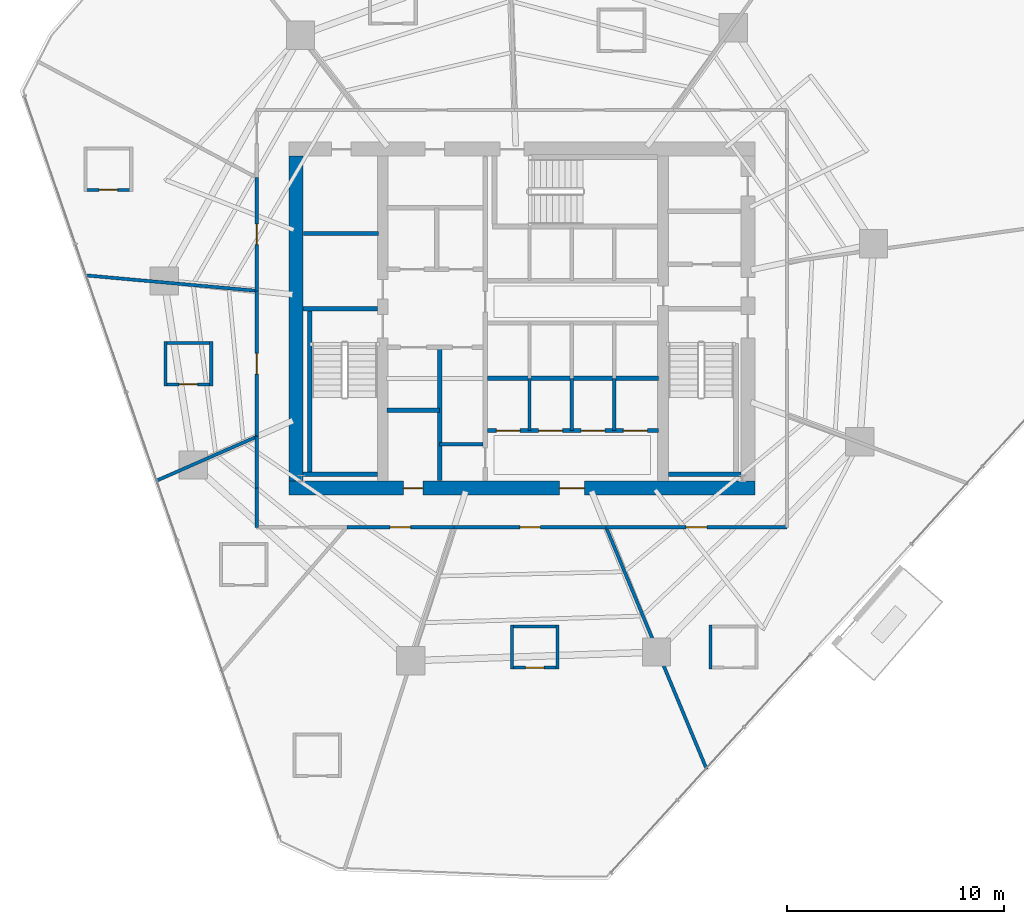
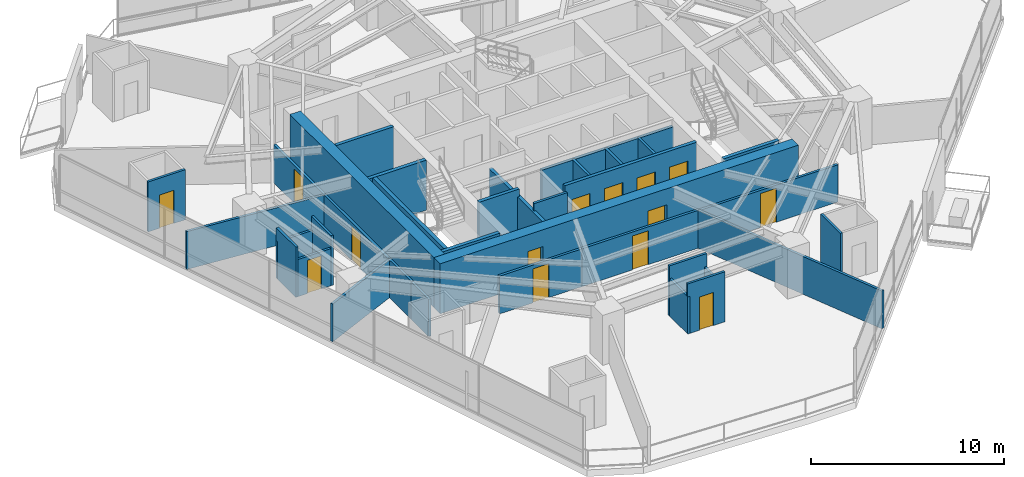
# One storey, part 26 of 33: 35 walls, 14 doors, 14 openings.
"""IFC4 building model written with IfcOpenShell, lengths in metres."""

from ifc_helpers import new_model, si_unit, direction, frame, frame_2d, origin, place, context, subcontext, project, spatial, rectangle, extrude, material, layer, layer_set, type_object, element, fill, save


model = new_model("IFC4")

# Units and contexts
model_context = context("Model", 3, precision=1e-05, world=origin(), true_north=direction((0.0, 1.0)))
body_context = subcontext(model_context, "Body", "Model", "MODEL_VIEW")
ifc_project = project(units=[si_unit("LENGTHUNIT", "METRE"), si_unit("AREAUNIT", "SQUARE_METRE"), si_unit("VOLUMEUNIT", "CUBIC_METRE"), si_unit("PLANEANGLEUNIT", "RADIAN"), si_unit("MASSUNIT", "GRAM", prefix="KILO")], contexts=[model_context])

# Site, building, storey
site_placement = place(None, origin())
site = spatial("IfcSite", under=ifc_project, at=site_placement, CompositionType="ELEMENT")
building_placement = place(site_placement, origin())
building = spatial("IfcBuilding", under=site, at=building_placement, Name="Qarnah Convention Tower", CompositionType="ELEMENT")
storey_placement = place(building_placement, frame((0.0, 0.0, 27.0)))
storey = spatial("IfcBuildingStorey", under=building, at=storey_placement, Name="L05", CompositionType="ELEMENT", Elevation=27.0)

# Wall, openings, doors
ifc_material_1 = material(Name="Concrete C60/75", Category="concrete")
ifc_layer_1 = layer(ifc_material_1, 0.64990234375)
ifc_layer_set_1 = layer_set([ifc_layer_1], Name="Concrete C60/75")
wall_type_1 = type_object("IfcWallType", Name="WL-CORE-650", PredefinedType="SHEAR", material=ifc_layer_set_1)
wall_1_placement = place(storey_placement, frame((26.47509765625, 18.60009765625, 0.0), z_axis=(0.0, 0.0, 1.0), x_axis=(1.0, 0.0, 0.0)))
wall_1 = element("IfcWall", 1, at=wall_1_placement, inside=storey, type_object=wall_type_1, Name="L05 core south shear wall", PredefinedType="SHEAR", context=body_context, shape_type="SweptSolid", body=[
    extrude(rectangle(XDim=21.449951171875, YDim=0.64990234375, at=frame_2d((10.72509765625, 0.0))), origin(), (0.0, 0.0, 1.0), 3.169921875),
])
opening_1_placement = place(wall_1_placement, frame((12.449951171875, 0.0, 0.0)))
opening_1 = element("IfcOpeningElement", 2, at=opening_1_placement, cuts=wall_1, Name="Opening D-0507", PredefinedType="OPENING", context=body_context, shape_type="SweptSolid", body=[
    extrude(rectangle(XDim=1.14990234375, YDim=2.14990234375, at=frame_2d((0.574951171875, 1.074951171875))), frame((0.0, 0.3349609375, 0.0), z_axis=(0.0, -1.0, 0.0), x_axis=(1.0, 0.0, 0.0)), (0.0, 0.0, 1.0), 0.669921875),
])
opening_2_placement = place(wall_1_placement, frame((5.27490234375, 0.0, 0.0)))
opening_2 = element("IfcOpeningElement", 3, at=opening_2_placement, cuts=wall_1, Name="Opening D-0513", PredefinedType="OPENING", context=body_context, shape_type="SweptSolid", body=[
    extrude(rectangle(XDim=0.89990234375, YDim=2.10009765625, at=frame_2d((0.449951171875, 1.050048828125))), frame((0.0, 0.3349609375, 0.0), z_axis=(0.0, -1.0, 0.0), x_axis=(1.0, 0.0, 0.0)), (0.0, 0.0, 1.0), 0.669921875),
])
ifc_material_2 = material(Name="Structural steel S355JR", Category="steel")
door_type_1 = type_object("IfcDoorType", Name="DT-LOBBY-1150", OperationType="NOTDEFINED", PredefinedType="DOOR", material=ifc_material_2)
door_1_placement = place(opening_1_placement, origin())
door_1 = element("IfcDoor", 4, at=door_1_placement, inside=storey, type_object=door_type_1, Name="Door D-0507", OperationType="SINGLE_SWING_LEFT", OverallHeight=2.14990234375, OverallWidth=1.14990234375, PredefinedType="DOOR", context=body_context, shape_type="SweptSolid", body=[
    extrude(rectangle(XDim=1.14990234375, YDim=2.14990234375, at=frame_2d((0.574951171875, 1.074951171875))), frame((0.0, 0.02490234375, 0.0), z_axis=(0.0, -1.0, 0.0), x_axis=(1.0, 0.0, 0.0)), (0.0, 0.0, 1.0), 0.050048828125),
])
fill(opening_1, door_1)
door_type_2 = type_object("IfcDoorType", Name="DT-RISER-900", OperationType="NOTDEFINED", PredefinedType="DOOR", material=ifc_material_2)
door_2_placement = place(opening_2_placement, origin())
door_2 = element("IfcDoor", 5, at=door_2_placement, inside=storey, type_object=door_type_2, Name="Door D-0513", OperationType="SINGLE_SWING_LEFT", OverallHeight=2.10009765625, OverallWidth=0.89990234375, PredefinedType="DOOR", context=body_context, shape_type="SweptSolid", body=[
    extrude(rectangle(XDim=0.89990234375, YDim=2.10009765625, at=frame_2d((0.449951171875, 1.050048828125))), frame((0.0, 0.02490234375, 0.0), z_axis=(0.0, -1.0, 0.0), x_axis=(1.0, 0.0, 0.0)), (0.0, 0.0, 1.0), 0.050048828125),
])
fill(opening_2, door_2)

# Walls
wall_2_placement = place(storey_placement, frame((26.800048828125, 18.925048828125, 0.0), z_axis=(0.0, 0.0, 1.0), x_axis=(0.0, 1.0, 0.0)))
element("IfcWall", 6, at=wall_2_placement, inside=storey, type_object=wall_type_1, Name="L05 core west shear wall", PredefinedType="SHEAR", context=body_context, shape_type="SweptSolid", body=[
    extrude(rectangle(XDim=14.949951171875, YDim=0.64990234375, at=frame_2d((7.47509765625, 0.0))), origin(), (0.0, 0.0, 1.0), 3.169921875),
])
ifc_material_3 = material(Name="Concrete C45/55", Category="concrete")
ifc_layer_2 = layer(ifc_material_3, 0.199951171875)
ifc_layer_set_2 = layer_set([ifc_layer_2], Name="Concrete C45/55")
wall_type_2 = type_object("IfcWallType", Name="WL-CORE-PART-200", PredefinedType="SOLIDWALL", material=ifc_layer_set_2)
wall_3_placement = place(storey_placement, frame((27.14990234375, 30.320068359375, 0.0), z_axis=(0.0, 0.0, 1.0), x_axis=(1.0, 0.0, 0.0)))
element("IfcWall", 7, at=wall_3_placement, inside=storey, type_object=wall_type_2, Name="L05 interior wall IW-L05-ELRN", PredefinedType="SOLIDWALL", context=body_context, shape_type="SweptSolid", body=[
    extrude(rectangle(XDim=3.4501953125, YDim=0.199951171875, at=frame_2d((1.72509765625, 0.0))), origin(), (0.0, 0.0, 1.0), 3.169921875),
])
wall_4_placement = place(storey_placement, frame((33.419921875, 18.949951171875, 0.0), z_axis=(0.0, 0.0, 1.0), x_axis=(0.0, 1.0, 0.0)))
element("IfcWall", 8, at=wall_4_placement, inside=storey, type_object=wall_type_2, Name="L05 interior wall IW-L05-SVLE", PredefinedType="SOLIDWALL", context=body_context, shape_type="SweptSolid", body=[
    extrude(rectangle(XDim=6.130126953125, YDim=0.199951171875, at=frame_2d((3.06494140625, 0.0))), origin(), (0.0, 0.0, 1.0), 2.69091796875),
])
wall_5_placement = place(storey_placement, frame((31.0, 22.179931640625, 0.0), z_axis=(0.0, 0.0, 1.0), x_axis=(1.0, 0.0, 0.0)))
element("IfcWall", 9, at=wall_5_placement, inside=storey, type_object=wall_type_2, Name="L05 interior wall IW-L05-SVLS", PredefinedType="SOLIDWALL", context=body_context, shape_type="SweptSolid", body=[
    extrude(rectangle(XDim=2.419921875, YDim=0.199951171875, at=frame_2d((1.2099609375, 0.0))), origin(), (0.0, 0.0, 1.0), 3.169921875),
])
wall_6_placement = place(storey_placement, frame((35.6201171875, 23.64990234375, 0.0), z_axis=(0.0, 0.0, 1.0), x_axis=(1.0, 0.0, 0.0)))
element("IfcWall", 10, at=wall_6_placement, inside=storey, type_object=wall_type_2, Name="L05 interior wall IW-L05-PMPL", PredefinedType="SOLIDWALL", context=body_context, shape_type="SweptSolid", body=[
    extrude(rectangle(XDim=7.8798828125, YDim=0.199951171875, at=frame_2d((3.93994140625, 0.0))), origin(), (0.0, 0.0, 1.0), 2.69091796875),
])

# Wall, openings, doors
wall_7_placement = place(storey_placement, frame((35.6201171875, 21.25, 0.0), z_axis=(0.0, 0.0, 1.0), x_axis=(1.0, 0.0, 0.0)))
wall_7 = element("IfcWall", 11, at=wall_7_placement, inside=storey, type_object=wall_type_2, Name="L05 interior wall IW-L05-PLS", PredefinedType="SOLIDWALL", context=body_context, shape_type="SweptSolid", body=[
    extrude(rectangle(XDim=7.8798828125, YDim=0.199951171875, at=frame_2d((3.93994140625, 0.0))), origin(), (0.0, 0.0, 1.0), 3.169921875),
])
opening_3_placement = place(wall_7_placement, frame((0.405029296875, 0.0, 0.0)))
opening_3 = element("IfcOpeningElement", 12, at=opening_3_placement, cuts=wall_7, Name="Opening LD-0504", PredefinedType="OPENING", context=body_context, shape_type="SweptSolid", body=[
    extrude(rectangle(XDim=1.10009765625, YDim=2.14990234375, at=frame_2d((0.550048828125, 1.074951171875))), frame((0.0, 0.10986328125, 0.0), z_axis=(0.0, -1.0, 0.0), x_axis=(1.0, 0.0, 0.0)), (0.0, 0.0, 1.0), 0.219970703125),
])
opening_4_placement = place(wall_7_placement, frame((2.35498046875, 0.0, 0.0)))
opening_4 = element("IfcOpeningElement", 13, at=opening_4_placement, cuts=wall_7, Name="Opening LD-0505", PredefinedType="OPENING", context=body_context, shape_type="SweptSolid", body=[
    extrude(rectangle(XDim=1.10009765625, YDim=2.14990234375, at=frame_2d((0.550048828125, 1.074951171875))), frame((0.0, 0.10986328125, 0.0), z_axis=(0.0, -1.0, 0.0), x_axis=(1.0, 0.0, 0.0)), (0.0, 0.0, 1.0), 0.219970703125),
])
opening_5_placement = place(wall_7_placement, frame((4.304931640625, 0.0, 0.0)))
opening_5 = element("IfcOpeningElement", 14, at=opening_5_placement, cuts=wall_7, Name="Opening LD-0506", PredefinedType="OPENING", context=body_context, shape_type="SweptSolid", body=[
    extrude(rectangle(XDim=1.10009765625, YDim=2.14990234375, at=frame_2d((0.550048828125, 1.074951171875))), frame((0.0, 0.10986328125, 0.0), z_axis=(0.0, -1.0, 0.0), x_axis=(1.0, 0.0, 0.0)), (0.0, 0.0, 1.0), 0.219970703125),
])
opening_6_placement = place(wall_7_placement, frame((6.2548828125, 0.0, 0.0)))
opening_6 = element("IfcOpeningElement", 15, at=opening_6_placement, cuts=wall_7, Name="Opening LD-0507", PredefinedType="OPENING", context=body_context, shape_type="SweptSolid", body=[
    extrude(rectangle(XDim=1.10009765625, YDim=2.14990234375, at=frame_2d((0.550048828125, 1.074951171875))), frame((0.0, 0.10986328125, 0.0), z_axis=(0.0, -1.0, 0.0), x_axis=(1.0, 0.0, 0.0)), (0.0, 0.0, 1.0), 0.219970703125),
])
door_type_3 = type_object("IfcDoorType", Name="DT-LIFT-1100", OperationType="SLIDING_TO_LEFT", PredefinedType="DOOR", material=ifc_material_2)
door_3_placement = place(opening_3_placement, origin())
door_3 = element("IfcDoor", 16, at=door_3_placement, inside=storey, type_object=door_type_3, Name="Door LD-0504", OperationType="SLIDING_TO_LEFT", OverallHeight=2.14990234375, OverallWidth=1.10009765625, PredefinedType="DOOR", context=body_context, shape_type="SweptSolid", body=[
    extrude(rectangle(XDim=1.10009765625, YDim=2.14990234375, at=frame_2d((0.550048828125, 1.074951171875))), frame((0.0, 0.02490234375, 0.0), z_axis=(0.0, -1.0, 0.0), x_axis=(1.0, 0.0, 0.0)), (0.0, 0.0, 1.0), 0.050048828125),
])
fill(opening_3, door_3)
door_4_placement = place(opening_4_placement, origin())
door_4 = element("IfcDoor", 17, at=door_4_placement, inside=storey, type_object=door_type_3, Name="Door LD-0505", OperationType="SLIDING_TO_LEFT", OverallHeight=2.14990234375, OverallWidth=1.10009765625, PredefinedType="DOOR", context=body_context, shape_type="SweptSolid", body=[
    extrude(rectangle(XDim=1.10009765625, YDim=2.14990234375, at=frame_2d((0.550048828125, 1.074951171875))), frame((0.0, 0.02490234375, 0.0), z_axis=(0.0, -1.0, 0.0), x_axis=(1.0, 0.0, 0.0)), (0.0, 0.0, 1.0), 0.050048828125),
])
fill(opening_4, door_4)
door_5_placement = place(opening_5_placement, origin())
door_5 = element("IfcDoor", 18, at=door_5_placement, inside=storey, type_object=door_type_3, Name="Door LD-0506", OperationType="SLIDING_TO_LEFT", OverallHeight=2.14990234375, OverallWidth=1.10009765625, PredefinedType="DOOR", context=body_context, shape_type="SweptSolid", body=[
    extrude(rectangle(XDim=1.10009765625, YDim=2.14990234375, at=frame_2d((0.550048828125, 1.074951171875))), frame((0.0, 0.02490234375, 0.0), z_axis=(0.0, -1.0, 0.0), x_axis=(1.0, 0.0, 0.0)), (0.0, 0.0, 1.0), 0.050048828125),
])
fill(opening_5, door_5)
door_6_placement = place(opening_6_placement, origin())
door_6 = element("IfcDoor", 19, at=door_6_placement, inside=storey, type_object=door_type_3, Name="Door LD-0507", OperationType="SLIDING_TO_LEFT", OverallHeight=2.14990234375, OverallWidth=1.10009765625, PredefinedType="DOOR", context=body_context, shape_type="SweptSolid", body=[
    extrude(rectangle(XDim=1.10009765625, YDim=2.14990234375, at=frame_2d((0.550048828125, 1.074951171875))), frame((0.0, 0.02490234375, 0.0), z_axis=(0.0, -1.0, 0.0), x_axis=(1.0, 0.0, 0.0)), (0.0, 0.0, 1.0), 0.050048828125),
])
fill(opening_6, door_6)

# Walls
ifc_layer_3 = layer(ifc_material_1, 0.219970703125)
ifc_layer_set_3 = layer_set([ifc_layer_3], Name="Concrete C60/75")
wall_type_3 = type_object("IfcWallType", Name="WL-CORE-STAIR-220", PredefinedType="SHEAR", material=ifc_layer_set_3)
wall_8_placement = place(storey_placement, frame((27.125, 26.860107421875, 0.0), z_axis=(0.0, 0.0, 1.0), x_axis=(1.0, 0.0, 0.0)))
element("IfcWall", 20, at=wall_8_placement, inside=storey, type_object=wall_type_3, Name="L05 stair shaft shear wall SW-L05-ST1N", PredefinedType="SHEAR", context=body_context, shape_type="SweptSolid", body=[
    extrude(rectangle(XDim=3.425048828125, YDim=0.219970703125, at=frame_2d((1.71240234375, 0.0))), origin(), (0.0, 0.0, 1.0), 3.169921875),
])
wall_9_placement = place(storey_placement, frame((27.43994140625, 19.35009765625, 0.0), z_axis=(0.0, 0.0, 1.0), x_axis=(0.0, 1.0, 0.0)))
element("IfcWall", 21, at=wall_9_placement, inside=storey, type_object=wall_type_3, Name="L05 stair shaft shear wall SW-L05-ST1W", PredefinedType="SHEAR", context=body_context, shape_type="SweptSolid", body=[
    extrude(rectangle(XDim=7.39990234375, YDim=0.219970703125, at=frame_2d((3.699951171875, 0.0))), origin(), (0.0, 0.0, 1.0), 3.169921875),
])
wall_10_placement = place(storey_placement, frame((27.125, 19.239990234375, 0.0), z_axis=(0.0, 0.0, 1.0), x_axis=(1.0, 0.0, 0.0)))
element("IfcWall", 22, at=wall_10_placement, inside=storey, type_object=wall_type_3, Name="L05 stair shaft shear wall SW-L05-ST1S", PredefinedType="SHEAR", context=body_context, shape_type="SweptSolid", body=[
    extrude(rectangle(XDim=3.425048828125, YDim=0.219970703125, at=frame_2d((1.71240234375, 0.0))), origin(), (0.0, 0.0, 1.0), 3.169921875),
])
wall_11_placement = place(storey_placement, frame((43.949951171875, 19.239990234375, 0.0), z_axis=(0.0, 0.0, 1.0), x_axis=(1.0, 0.0, 0.0)))
element("IfcWall", 23, at=wall_11_placement, inside=storey, type_object=wall_type_3, Name="L05 stair shaft shear wall SW-L05-ST2S", PredefinedType="SHEAR", context=body_context, shape_type="SweptSolid", body=[
    extrude(rectangle(XDim=3.324951171875, YDim=0.219970703125, at=frame_2d((1.66259765625, 0.0))), origin(), (0.0, 0.0, 1.0), 3.169921875),
])
ifc_material_4 = material(Name="Gypsum partition board")
ifc_layer_4 = layer(ifc_material_4, 0.14990234375)
ifc_layer_set_4 = layer_set([ifc_layer_4], Name="Gypsum partition board")
wall_type_4 = type_object("IfcWallType", Name="WL-SUITE-150", PredefinedType="PARTITIONING", material=ifc_layer_set_4)
wall_12_placement = place(storey_placement, frame((33.419921875, 20.6201171875, 0.0), z_axis=(0.0, 0.0, 1.0), x_axis=(1.0, 0.0, 0.0)))
element("IfcWall", 24, at=wall_12_placement, inside=storey, type_object=wall_type_4, Name="L05 interior wall IW-L05-CSV1", PredefinedType="PARTITIONING", context=body_context, shape_type="SweptSolid", body=[
    extrude(rectangle(XDim=2.0, YDim=0.14990234375, at=frame_2d((1.0, 0.0))), origin(), (0.0, 0.0, 1.0), 3.169921875),
])
for number, where, z_axis, x_axis, name in (
    (25, (37.550048828125, 21.25, 0.0), (0.0, 0.0, 1.0), (0.0, 1.0, 0.0), "L05 interior wall IW-L05-PLD1"),
    (26, (39.5, 21.25, 0.0), (0.0, 0.0, 1.0), (0.0, 1.0, 0.0), "L05 interior wall IW-L05-PLD2"),
    (27, (41.449951171875, 21.25, 0.0), (0.0, 0.0, 1.0), (0.0, 1.0, 0.0), "L05 interior wall IW-L05-PLD3"),
):
    element("IfcWall", number, at=place(storey_placement, frame(where, z_axis=z_axis, x_axis=x_axis)), inside=storey, type_object=wall_type_4, Name=name, PredefinedType="PARTITIONING", context=body_context, shape_type="SweptSolid", body=[
        extrude(rectangle(XDim=2.39990234375, YDim=0.14990234375, at=frame_2d((1.199951171875, 0.0))), origin(), (0.0, 0.0, 1.0), 2.69091796875),
    ])
wall_13_placement = place(storey_placement, frame((17.10205078125, 28.39404296875, 0.0), z_axis=(0.0, 0.0, 1.0), x_axis=(0.995959307565, -0.089805666157, 0.0)))
element("IfcWall", 28, at=wall_13_placement, inside=storey, type_object=wall_type_4, Name="L05 interior wall IW-L05-R-50", PredefinedType="PARTITIONING", context=body_context, shape_type="SweptSolid", body=[
    extrude(rectangle(XDim=7.929931640625, YDim=0.14990234375, at=frame_2d((3.96484375, 0.0))), origin(), (0.0, 0.0, 1.0), 2.39501953125),
])

# Wall, opening, door
wall_14_placement = place(storey_placement, frame((25.0, 27.681884765625, 0.0), z_axis=(0.0, 0.0, 1.0), x_axis=(0.0, 1.0, 0.0)))
wall_14 = element("IfcWall", 29, at=wall_14_placement, inside=storey, type_object=wall_type_4, Name="L05 interior wall IW-L05-R-51", PredefinedType="PARTITIONING", context=body_context, shape_type="SweptSolid", body=[
    extrude(rectangle(XDim=5.205078125, YDim=0.14990234375, at=frame_2d((2.6025390625, 0.0))), origin(), (0.0, 0.0, 1.0), 2.39501953125),
])
opening_7_placement = place(wall_14_placement, frame((2.1279296875, 0.0, 0.0)))
opening_7 = element("IfcOpeningElement", 30, at=opening_7_placement, cuts=wall_14, Name="Opening D-0523", PredefinedType="OPENING", context=body_context, shape_type="SweptSolid", body=[
    extrude(rectangle(XDim=0.949951171875, YDim=2.14990234375, at=frame_2d((0.47509765625, 1.074951171875))), frame((0.0, 0.0849609375, 0.0), z_axis=(0.0, -1.0, 0.0), x_axis=(1.0, 0.0, 0.0)), (0.0, 0.0, 1.0), 0.169921875),
])
ifc_material_5 = material(Name="Oak timber veneer", Category="wood")
door_type_4 = type_object("IfcDoorType", Name="DT-HOTEL-950", OperationType="NOTDEFINED", PredefinedType="DOOR", material=ifc_material_5)
door_7_placement = place(opening_7_placement, origin())
door_7 = element("IfcDoor", 31, at=door_7_placement, inside=storey, type_object=door_type_4, Name="Door D-0523", OperationType="SINGLE_SWING_LEFT", OverallHeight=2.14990234375, OverallWidth=0.949951171875, PredefinedType="DOOR", context=body_context, shape_type="SweptSolid", body=[
    extrude(rectangle(XDim=0.949951171875, YDim=2.14990234375, at=frame_2d((0.47509765625, 1.074951171875))), frame((0.0, 0.02490234375, 0.0), z_axis=(0.0, -1.0, 0.0), x_axis=(1.0, 0.0, 0.0)), (0.0, 0.0, 1.0), 0.050048828125),
])
fill(opening_7, door_7)

# Wall
wall_15_placement = place(storey_placement, frame((20.360107421875, 18.929931640625, 0.0), z_axis=(0.0, 0.0, 1.0), x_axis=(0.915567029413, 0.402165407079, 0.0)))
element("IfcWall", 32, at=wall_15_placement, inside=storey, type_object=wall_type_4, Name="L05 interior wall IW-L05-R-52", PredefinedType="PARTITIONING", context=body_context, shape_type="SweptSolid", body=[
    extrude(rectangle(XDim=5.06787109375, YDim=0.14990234375, at=frame_2d((2.533935546875, 0.0))), origin(), (0.0, 0.0, 1.0), 2.39501953125),
])

# Wall, opening, door
wall_16_placement = place(storey_placement, frame((25.0, 20.968017578125, 0.0), z_axis=(0.0, 0.0, 1.0), x_axis=(0.0, 1.0, 0.0)))
wall_16 = element("IfcWall", 33, at=wall_16_placement, inside=storey, type_object=wall_type_4, Name="L05 interior wall IW-L05-R-53", PredefinedType="PARTITIONING", context=body_context, shape_type="SweptSolid", body=[
    extrude(rectangle(XDim=6.7138671875, YDim=0.14990234375, at=frame_2d((3.35693359375, 0.0))), origin(), (0.0, 0.0, 1.0), 2.39501953125),
])
opening_8_placement = place(wall_16_placement, frame((2.882080078125, 0.0, 0.0)))
opening_8 = element("IfcOpeningElement", 34, at=opening_8_placement, cuts=wall_16, Name="Opening D-0525", PredefinedType="OPENING", context=body_context, shape_type="SweptSolid", body=[
    extrude(rectangle(XDim=0.949951171875, YDim=2.14990234375, at=frame_2d((0.47509765625, 1.074951171875))), frame((0.0, 0.0849609375, 0.0), z_axis=(0.0, -1.0, 0.0), x_axis=(1.0, 0.0, 0.0)), (0.0, 0.0, 1.0), 0.169921875),
])
door_8_placement = place(opening_8_placement, origin())
door_8 = element("IfcDoor", 35, at=door_8_placement, inside=storey, type_object=door_type_4, Name="Door D-0525", OperationType="SINGLE_SWING_LEFT", OverallHeight=2.14990234375, OverallWidth=0.949951171875, PredefinedType="DOOR", context=body_context, shape_type="SweptSolid", body=[
    extrude(rectangle(XDim=0.949951171875, YDim=2.14990234375, at=frame_2d((0.47509765625, 1.074951171875))), frame((0.0, 0.02490234375, 0.0), z_axis=(0.0, -1.0, 0.0), x_axis=(1.0, 0.0, 0.0)), (0.0, 0.0, 1.0), 0.050048828125),
])
fill(opening_8, door_8)

# Walls
wall_17_placement = place(storey_placement, frame((25.0, 16.800048828125, 0.0), z_axis=(0.0, 0.0, 1.0), x_axis=(0.0, 1.0, 0.0)))
element("IfcWall", 36, at=wall_17_placement, inside=storey, type_object=wall_type_4, Name="L05 interior wall IW-L05-R-56", PredefinedType="PARTITIONING", context=body_context, shape_type="SweptSolid", body=[
    extrude(rectangle(XDim=1.800048828125, YDim=0.14990234375, at=frame_2d((0.89990234375, 0.0))), origin(), (0.0, 0.0, 1.0), 2.35498046875),
])
wall_18_placement = place(storey_placement, frame((25.0, 18.60009765625, 0.0), z_axis=(0.0, 0.0, 1.0), x_axis=(0.0, 1.0, 0.0)))
element("IfcWall", 37, at=wall_18_placement, inside=storey, type_object=wall_type_4, Name="L05 interior wall IW-L05-R-57", PredefinedType="PARTITIONING", context=body_context, shape_type="SweptSolid", body=[
    extrude(rectangle(XDim=2.367919921875, YDim=0.14990234375, at=frame_2d((1.18408203125, 0.0))), origin(), (0.0, 0.0, 1.0), 2.39501953125),
])

# Wall, opening, door
wall_19_placement = place(storey_placement, frame((34.0810546875, 16.800048828125, 0.0), z_axis=(0.0, 0.0, 1.0), x_axis=(-1.0, 0.0, 0.0)))
wall_19 = element("IfcWall", 38, at=wall_19_placement, inside=storey, type_object=wall_type_4, Name="L05 interior wall IW-L05-R-59", PredefinedType="PARTITIONING", context=body_context, shape_type="SweptSolid", body=[
    extrude(rectangle(XDim=4.93603515625, YDim=0.14990234375, at=frame_2d((2.468017578125, 0.0))), origin(), (0.0, 0.0, 1.0), 2.39501953125),
])
opening_9_placement = place(wall_19_placement, frame((1.992919921875, 0.0, 0.0)))
opening_9 = element("IfcOpeningElement", 39, at=opening_9_placement, cuts=wall_19, Name="Opening D-0529", PredefinedType="OPENING", context=body_context, shape_type="SweptSolid", body=[
    extrude(rectangle(XDim=0.949951171875, YDim=2.14990234375, at=frame_2d((0.47509765625, 1.074951171875))), frame((0.0, 0.0849609375, 0.0), z_axis=(0.0, -1.0, 0.0), x_axis=(1.0, 0.0, 0.0)), (0.0, 0.0, 1.0), 0.169921875),
])
door_9_placement = place(opening_9_placement, origin())
door_9 = element("IfcDoor", 40, at=door_9_placement, inside=storey, type_object=door_type_4, Name="Door D-0529", OperationType="SINGLE_SWING_LEFT", OverallHeight=2.14990234375, OverallWidth=0.949951171875, PredefinedType="DOOR", context=body_context, shape_type="SweptSolid", body=[
    extrude(rectangle(XDim=0.949951171875, YDim=2.14990234375, at=frame_2d((0.47509765625, 1.074951171875))), frame((0.0, 0.02490234375, 0.0), z_axis=(0.0, -1.0, 0.0), x_axis=(1.0, 0.0, 0.0)), (0.0, 0.0, 1.0), 0.050048828125),
])
fill(opening_9, door_9)

# Wall
wall_20_placement = place(storey_placement, frame((45.708984375, 5.658935546875, 0.0), z_axis=(0.0, 0.0, 1.0), x_axis=(-0.383750228446, 0.923436929177, 0.0)))
element("IfcWall", 41, at=wall_20_placement, inside=storey, type_object=wall_type_4, Name="L05 interior wall IW-L05-R-60", PredefinedType="PARTITIONING", context=body_context, shape_type="SweptSolid", body=[
    extrude(rectangle(XDim=12.06494140625, YDim=0.14990234375, at=frame_2d((6.032470703125, 0.0))), origin(), (0.0, 0.0, 1.0), 2.39501953125),
])

# Wall, opening, door
wall_21_placement = place(storey_placement, frame((41.0791015625, 16.800048828125, 0.0), z_axis=(0.0, 0.0, 1.0), x_axis=(-1.0, 0.0, 0.0)))
wall_21 = element("IfcWall", 42, at=wall_21_placement, inside=storey, type_object=wall_type_4, Name="L05 interior wall IW-L05-R-61", PredefinedType="PARTITIONING", context=body_context, shape_type="SweptSolid", body=[
    extrude(rectangle(XDim=6.998046875, YDim=0.14990234375, at=frame_2d((3.4990234375, 0.0))), origin(), (0.0, 0.0, 1.0), 2.39501953125),
])
opening_10_placement = place(wall_21_placement, frame((3.02392578125, 0.0, 0.0)))
opening_10 = element("IfcOpeningElement", 43, at=opening_10_placement, cuts=wall_21, Name="Opening D-0531", PredefinedType="OPENING", context=body_context, shape_type="SweptSolid", body=[
    extrude(rectangle(XDim=0.949951171875, YDim=2.14990234375, at=frame_2d((0.47509765625, 1.074951171875))), frame((0.0, 0.0849609375, 0.0), z_axis=(0.0, -1.0, 0.0), x_axis=(1.0, 0.0, 0.0)), (0.0, 0.0, 1.0), 0.169921875),
])
door_10_placement = place(opening_10_placement, origin())
door_10 = element("IfcDoor", 44, at=door_10_placement, inside=storey, type_object=door_type_4, Name="Door D-0531", OperationType="SINGLE_SWING_LEFT", OverallHeight=2.14990234375, OverallWidth=0.949951171875, PredefinedType="DOOR", context=body_context, shape_type="SweptSolid", body=[
    extrude(rectangle(XDim=0.949951171875, YDim=2.14990234375, at=frame_2d((0.47509765625, 1.074951171875))), frame((0.0, 0.02490234375, 0.0), z_axis=(0.0, -1.0, 0.0), x_axis=(1.0, 0.0, 0.0)), (0.0, 0.0, 1.0), 0.050048828125),
])
fill(opening_10, door_10)

wall_22_placement = place(storey_placement, frame((49.39990234375, 16.800048828125, 0.0), z_axis=(0.0, 0.0, 1.0), x_axis=(-1.0, 0.0, 0.0)))
wall_22 = element("IfcWall", 45, at=wall_22_placement, inside=storey, type_object=wall_type_4, Name="L05 interior wall IW-L05-R-65", PredefinedType="PARTITIONING", context=body_context, shape_type="SweptSolid", body=[
    extrude(rectangle(XDim=8.32080078125, YDim=0.14990234375, at=frame_2d((4.160400390625, 0.0))), origin(), (0.0, 0.0, 1.0), 2.35498046875),
])
opening_11_placement = place(wall_22_placement, frame((3.68505859375, 0.0, 0.0)))
opening_11 = element("IfcOpeningElement", 46, at=opening_11_placement, cuts=wall_22, Name="Opening D-0533", PredefinedType="OPENING", context=body_context, shape_type="SweptSolid", body=[
    extrude(rectangle(XDim=0.949951171875, YDim=2.14990234375, at=frame_2d((0.47509765625, 1.074951171875))), frame((0.0, 0.0849609375, 0.0), z_axis=(0.0, -1.0, 0.0), x_axis=(1.0, 0.0, 0.0)), (0.0, 0.0, 1.0), 0.169921875),
])
door_11_placement = place(opening_11_placement, origin())
door_11 = element("IfcDoor", 47, at=door_11_placement, inside=storey, type_object=door_type_4, Name="Door D-0533", OperationType="SINGLE_SWING_LEFT", OverallHeight=2.14990234375, OverallWidth=0.949951171875, PredefinedType="DOOR", context=body_context, shape_type="SweptSolid", body=[
    extrude(rectangle(XDim=0.949951171875, YDim=2.14990234375, at=frame_2d((0.47509765625, 1.074951171875))), frame((0.0, 0.02490234375, 0.0), z_axis=(0.0, -1.0, 0.0), x_axis=(1.0, 0.0, 0.0)), (0.0, 0.0, 1.0), 0.050048828125),
])
fill(opening_11, door_11)

ifc_layer_5 = layer(ifc_material_4, 0.139892578125)
ifc_layer_set_5 = layer_set([ifc_layer_5], Name="Gypsum partition board")
wall_type_5 = type_object("IfcWallType", Name="WL-WET-140", PredefinedType="PARTITIONING", material=ifc_layer_set_5)
wall_23_placement = place(storey_placement, frame((17.056884765625, 32.324951171875, 0.0), z_axis=(0.0, 0.0, 1.0), x_axis=(1.0, 0.0, 0.0)))
wall_23 = element("IfcWall", 48, at=wall_23_placement, inside=storey, type_object=wall_type_5, Name="L05 interior wall IW-L05-ENS04-1", PredefinedType="PARTITIONING", context=body_context, shape_type="SweptSolid", body=[
    extrude(rectangle(XDim=2.240234375, YDim=0.139892578125, at=frame_2d((1.1201171875, 0.0))), origin(), (0.0, 0.0, 1.0), 3.169921875),
])
opening_12_placement = place(wall_23_placement, frame((0.695068359375, 0.0, 0.0)))
opening_12 = element("IfcOpeningElement", 49, at=opening_12_placement, cuts=wall_23, Name="Opening D-0524", PredefinedType="OPENING", context=body_context, shape_type="SweptSolid", body=[
    extrude(rectangle(XDim=0.85009765625, YDim=2.10009765625, at=frame_2d((0.425048828125, 1.050048828125))), frame((0.0, 0.079833984375, 0.0), z_axis=(0.0, -1.0, 0.0), x_axis=(1.0, 0.0, 0.0)), (0.0, 0.0, 1.0), 0.159912109375),
])
door_type_5 = type_object("IfcDoorType", Name="DT-BATH-850", OperationType="NOTDEFINED", PredefinedType="DOOR", material=ifc_material_5)
door_12_placement = place(opening_12_placement, origin())
door_12 = element("IfcDoor", 50, at=door_12_placement, inside=storey, type_object=door_type_5, Name="Door D-0524", OperationType="SINGLE_SWING_RIGHT", OverallHeight=2.10009765625, OverallWidth=0.85009765625, PredefinedType="DOOR", context=body_context, shape_type="SweptSolid", body=[
    extrude(rectangle(XDim=0.85009765625, YDim=2.10009765625, at=frame_2d((0.425048828125, 1.050048828125))), frame((0.0, 0.02490234375, 0.0), z_axis=(0.0, -1.0, 0.0), x_axis=(1.0, 0.0, 0.0)), (0.0, 0.0, 1.0), 0.050048828125),
])
fill(opening_12, door_12)

wall_24_placement = place(storey_placement, frame((20.739013671875, 23.375, 0.0), z_axis=(0.0, 0.0, 1.0), x_axis=(1.0, 0.0, 0.0)))
wall_24 = element("IfcWall", 51, at=wall_24_placement, inside=storey, type_object=wall_type_5, Name="L05 interior wall IW-L05-ENS05-1", PredefinedType="PARTITIONING", context=body_context, shape_type="SweptSolid", body=[
    extrude(rectangle(XDim=2.239990234375, YDim=0.139892578125, at=frame_2d((1.1201171875, 0.0))), origin(), (0.0, 0.0, 1.0), 2.35498046875),
])
opening_13_placement = place(wall_24_placement, frame((0.695068359375, 0.0, 0.0)))
opening_13 = element("IfcOpeningElement", 52, at=opening_13_placement, cuts=wall_24, Name="Opening D-0526", PredefinedType="OPENING", context=body_context, shape_type="SweptSolid", body=[
    extrude(rectangle(XDim=0.85009765625, YDim=2.10009765625, at=frame_2d((0.425048828125, 1.050048828125))), frame((0.0, 0.079833984375, 0.0), z_axis=(0.0, -1.0, 0.0), x_axis=(1.0, 0.0, 0.0)), (0.0, 0.0, 1.0), 0.159912109375),
])
door_13_placement = place(opening_13_placement, origin())
door_13 = element("IfcDoor", 53, at=door_13_placement, inside=storey, type_object=door_type_5, Name="Door D-0526", OperationType="SINGLE_SWING_RIGHT", OverallHeight=2.10009765625, OverallWidth=0.85009765625, PredefinedType="DOOR", context=body_context, shape_type="SweptSolid", body=[
    extrude(rectangle(XDim=0.85009765625, YDim=2.10009765625, at=frame_2d((0.425048828125, 1.050048828125))), frame((0.0, 0.02490234375, 0.0), z_axis=(0.0, -1.0, 0.0), x_axis=(1.0, 0.0, 0.0)), (0.0, 0.0, 1.0), 0.050048828125),
])
fill(opening_13, door_13)

# Walls
wall_25_placement = place(storey_placement, frame((22.908935546875, 23.304931640625, 0.0), z_axis=(0.0, 0.0, 1.0), x_axis=(0.0, 1.0, 0.0)))
element("IfcWall", 54, at=wall_25_placement, inside=storey, type_object=wall_type_5, Name="L05 interior wall IW-L05-ENS05-2", PredefinedType="PARTITIONING", context=body_context, shape_type="SweptSolid", body=[
    extrude(rectangle(XDim=2.0400390625, YDim=0.139892578125, at=frame_2d((1.02001953125, 0.0))), origin(), (0.0, 0.0, 1.0), 3.169921875),
])
wall_26_placement = place(storey_placement, frame((22.97900390625, 25.27490234375, 0.0), z_axis=(0.0, 0.0, 1.0), x_axis=(-1.0, 0.0, 0.0)))
element("IfcWall", 55, at=wall_26_placement, inside=storey, type_object=wall_type_5, Name="L05 interior wall IW-L05-ENS05-3", PredefinedType="PARTITIONING", context=body_context, shape_type="SweptSolid", body=[
    extrude(rectangle(XDim=2.239990234375, YDim=0.139892578125, at=frame_2d((1.1201171875, 0.0))), origin(), (0.0, 0.0, 1.0), 2.35498046875),
])
wall_27_placement = place(storey_placement, frame((20.80908203125, 25.344970703125, 0.0), z_axis=(0.0, 0.0, 1.0), x_axis=(0.0, -1.0, 0.0)))
element("IfcWall", 56, at=wall_27_placement, inside=storey, type_object=wall_type_5, Name="L05 interior wall IW-L05-ENS05-4", PredefinedType="PARTITIONING", context=body_context, shape_type="SweptSolid", body=[
    extrude(rectangle(XDim=2.0400390625, YDim=0.139892578125, at=frame_2d((1.02001953125, 0.0))), origin(), (0.0, 0.0, 1.0), 3.169921875),
])

# Wall, opening, door
wall_28_placement = place(storey_placement, frame((36.677978515625, 10.3369140625, 0.0), z_axis=(0.0, 0.0, 1.0), x_axis=(1.0, 0.0, 0.0)))
wall_28 = element("IfcWall", 57, at=wall_28_placement, inside=storey, type_object=wall_type_5, Name="L05 interior wall IW-L05-ENS08-1", PredefinedType="PARTITIONING", context=body_context, shape_type="SweptSolid", body=[
    extrude(rectangle(XDim=2.239990234375, YDim=0.139892578125, at=frame_2d((1.1201171875, 0.0))), origin(), (0.0, 0.0, 1.0), 3.169921875),
])
opening_14_placement = place(wall_28_placement, frame((0.695068359375, 0.0, 0.0)))
opening_14 = element("IfcOpeningElement", 58, at=opening_14_placement, cuts=wall_28, Name="Opening D-0532", PredefinedType="OPENING", context=body_context, shape_type="SweptSolid", body=[
    extrude(rectangle(XDim=0.85009765625, YDim=2.10009765625, at=frame_2d((0.425048828125, 1.050048828125))), frame((0.0, 0.079833984375, 0.0), z_axis=(0.0, -1.0, 0.0), x_axis=(1.0, 0.0, 0.0)), (0.0, 0.0, 1.0), 0.159912109375),
])
door_14_placement = place(opening_14_placement, origin())
door_14 = element("IfcDoor", 59, at=door_14_placement, inside=storey, type_object=door_type_5, Name="Door D-0532", OperationType="SINGLE_SWING_RIGHT", OverallHeight=2.10009765625, OverallWidth=0.85009765625, PredefinedType="DOOR", context=body_context, shape_type="SweptSolid", body=[
    extrude(rectangle(XDim=0.85009765625, YDim=2.10009765625, at=frame_2d((0.425048828125, 1.050048828125))), frame((0.0, 0.02490234375, 0.0), z_axis=(0.0, -1.0, 0.0), x_axis=(1.0, 0.0, 0.0)), (0.0, 0.0, 1.0), 0.050048828125),
])
fill(opening_14, door_14)

# Walls
wall_29_placement = place(storey_placement, frame((38.847900390625, 10.26708984375, 0.0), z_axis=(0.0, 0.0, 1.0), x_axis=(0.0, 1.0, 0.0)))
element("IfcWall", 60, at=wall_29_placement, inside=storey, type_object=wall_type_5, Name="L05 interior wall IW-L05-ENS08-2", PredefinedType="PARTITIONING", context=body_context, shape_type="SweptSolid", body=[
    extrude(rectangle(XDim=2.039794921875, YDim=0.139892578125, at=frame_2d((1.02001953125, 0.0))), origin(), (0.0, 0.0, 1.0), 2.35498046875),
])
wall_30_placement = place(storey_placement, frame((38.91796875, 12.237060546875, 0.0), z_axis=(0.0, 0.0, 1.0), x_axis=(-1.0, 0.0, 0.0)))
element("IfcWall", 61, at=wall_30_placement, inside=storey, type_object=wall_type_5, Name="L05 interior wall IW-L05-ENS08-3", PredefinedType="PARTITIONING", context=body_context, shape_type="SweptSolid", body=[
    extrude(rectangle(XDim=2.239990234375, YDim=0.139892578125, at=frame_2d((1.1201171875, 0.0))), origin(), (0.0, 0.0, 1.0), 3.169921875),
])
wall_31_placement = place(storey_placement, frame((36.748046875, 12.306884765625, 0.0), z_axis=(0.0, 0.0, 1.0), x_axis=(0.0, -1.0, 0.0)))
element("IfcWall", 62, at=wall_31_placement, inside=storey, type_object=wall_type_5, Name="L05 interior wall IW-L05-ENS08-4", PredefinedType="PARTITIONING", context=body_context, shape_type="SweptSolid", body=[
    extrude(rectangle(XDim=2.039794921875, YDim=0.139892578125, at=frame_2d((1.02001953125, 0.0))), origin(), (0.0, 0.0, 1.0), 2.35498046875),
])
wall_32_placement = place(storey_placement, frame((45.888916015625, 12.306884765625, 0.0), z_axis=(0.0, 0.0, 1.0), x_axis=(0.0, -1.0, 0.0)))
element("IfcWall", 63, at=wall_32_placement, inside=storey, type_object=wall_type_5, Name="L05 interior wall IW-L05-ENS09-4", PredefinedType="PARTITIONING", context=body_context, shape_type="SweptSolid", body=[
    extrude(rectangle(XDim=2.039794921875, YDim=0.139892578125, at=frame_2d((1.02001953125, 0.0))), origin(), (0.0, 0.0, 1.0), 3.169921875),
])

save(model, "model.ifc")
